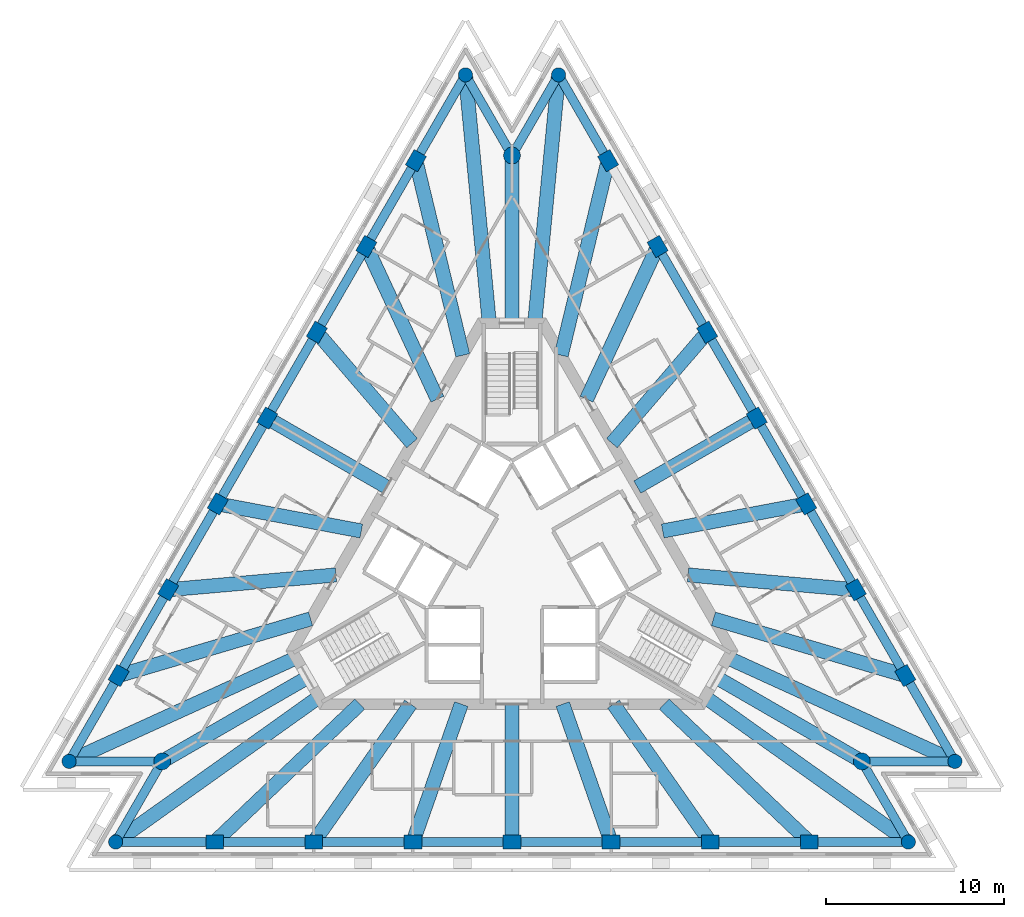
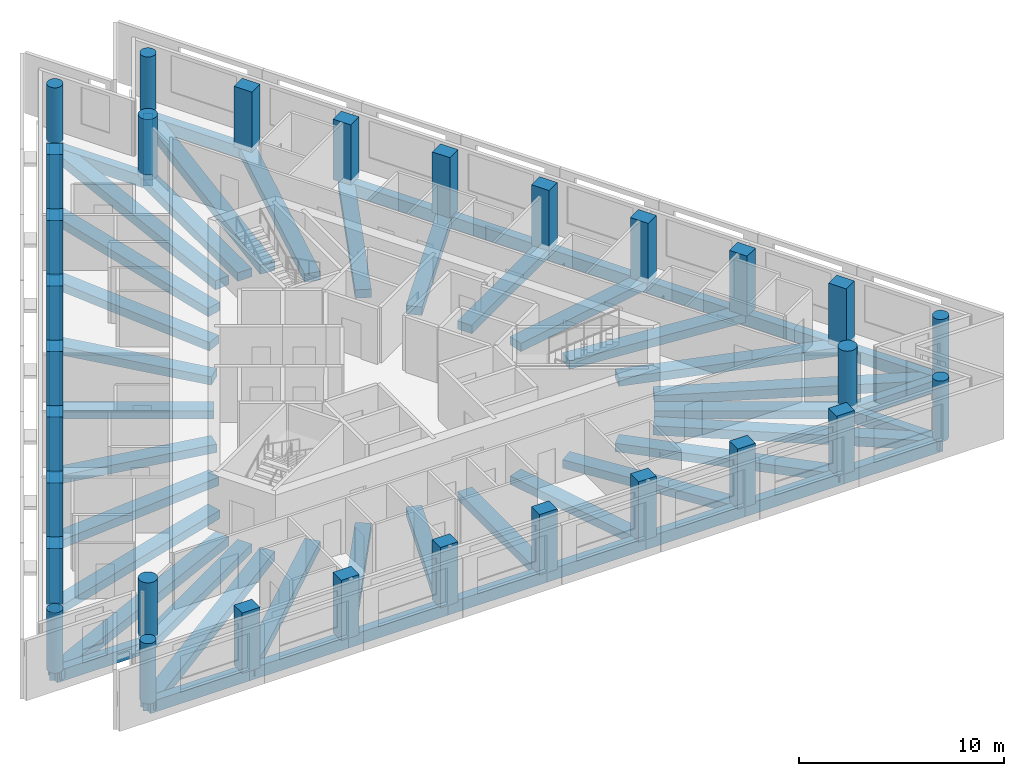
# One storey, part 1 of 10: 59 beams, 30 columns.
"""IFC4 building model written with IfcOpenShell, lengths in metres."""

from ifc_helpers import new_model, si_unit, direction, frame, origin, origin_2d, place, context, subcontext, project, spatial, rectangle, circle, extrude, material, material_profile, profile_set, type_object, element, save


model = new_model("IFC4")

# Units and contexts
model_context = context("Model", 3, precision=1e-05, world=origin(), true_north=direction((0.0, 1.0)))
body_context = subcontext(model_context, "Body", "Model", "MODEL_VIEW")
ifc_project = project(units=[si_unit("LENGTHUNIT", "METRE"), si_unit("AREAUNIT", "SQUARE_METRE"), si_unit("VOLUMEUNIT", "CUBIC_METRE"), si_unit("PLANEANGLEUNIT", "RADIAN"), si_unit("MASSUNIT", "GRAM", prefix="KILO")], contexts=[model_context])

# Site, building, storey
site_placement = place(None, origin())
site = spatial("IfcSite", under=ifc_project, at=site_placement, CompositionType="ELEMENT")
building_placement = place(site_placement, origin())
building = spatial("IfcBuilding", under=site, at=building_placement, Name="Triada Interchange Tower", CompositionType="ELEMENT")
storey_placement = place(building_placement, frame((0.0, 0.0, 275.5)))
storey = spatial("IfcBuildingStorey", under=building, at=storey_placement, Name="L64", CompositionType="ELEMENT", Elevation=275.5)

# Columns
ifc_material_1 = material(Name="Concrete C40/50", Category="concrete")
ifc_material_profile_1 = material_profile(ifc_material_1, rectangle(XDim=1.0, YDim=0.800048828125, at=origin_2d()), Name="RC 1000x800")
ifc_profile_set_1 = profile_set([ifc_material_profile_1], Name="Concrete C40/50")
column_type_1 = type_object("IfcColumnType", Name="Column D face RC 1000x800", PredefinedType="COLUMN", material=ifc_profile_set_1)
for number, where, z_axis, x_axis, name in (
    (1, (-5.4130859375, 22.458984375, -0.300048828125), (0.0, 0.0, 1.0), (0.5, 0.866025403784, 0.0), "Column CD02 L64"),
    (2, (-8.202880859375, 17.6259765625, -0.300048828125), (0.0, 0.0, 1.0), (0.5, 0.866025403784, 0.0), "Column CD03 L64"),
    (3, (-10.993896484375, 12.7919921875, -0.300048828125), (0.0, 0.0, 1.0), (0.5, 0.866025403784, 0.0), "Column CD04 L64"),
    (4, (-13.783935546875, 7.958984375, -0.300048828125), (0.0, 0.0, 1.0), (0.5, 0.866025403784, 0.0), "Column CD05 L64"),
    (5, (-16.574951171875, 3.125, -0.300048828125), (0.0, 0.0, 1.0), (0.5, 0.866025403784, 0.0), "Column CD06 L64"),
    (6, (-19.365966796875, -1.708984375, -0.300048828125), (0.0, 0.0, 1.0), (0.5, 0.866025403784, 0.0), "Column CD07 L64"),
    (7, (-22.156005859375, -6.5419921875, -0.300048828125), (0.0, 0.0, 1.0), (0.5, 0.866025403784, 0.0), "Column CD08 L64"),
    (8, (-16.7451171875, -15.9169921875, -0.300048828125), (0.0, 0.0, 1.0), (1.0, 0.0, 0.0), "Column CD11 L64"),
    (9, (-11.1630859375, -15.9169921875, -0.300048828125), (0.0, 0.0, 1.0), (1.0, 0.0, 0.0), "Column CD12 L64"),
    (10, (-5.5810546875, -15.9169921875, -0.300048828125), (0.0, 0.0, 1.0), (1.0, 0.0, 0.0), "Column CD13 L64"),
    (11, (0.0, -15.9169921875, -0.300048828125), (0.0, 0.0, 1.0), (1.0, 0.0, 0.0), "Column CD14 L64"),
    (12, (5.5810546875, -15.9169921875, -0.300048828125), (0.0, 0.0, 1.0), (1.0, 0.0, 0.0), "Column CD15 L64"),
    (13, (11.1630859375, -15.9169921875, -0.300048828125), (0.0, 0.0, 1.0), (1.0, 0.0, 0.0), "Column CD16 L64"),
    (14, (16.7451171875, -15.9169921875, -0.300048828125), (0.0, 0.0, 1.0), (1.0, 0.0, 0.0), "Column CD17 L64"),
    (15, (22.156005859375, -6.5419921875, -0.300048828125), (0.0, 0.0, 1.0), (-0.5, 0.866025403784, 0.0), "Column CD20 L64"),
    (16, (19.365966796875, -1.708984375, -0.300048828125), (0.0, 0.0, 1.0), (-0.5, 0.866025403784, 0.0), "Column CD21 L64"),
    (17, (16.574951171875, 3.125, -0.300048828125), (0.0, 0.0, 1.0), (-0.5, 0.866025403784, 0.0), "Column CD22 L64"),
    (18, (13.783935546875, 7.9580078125, -0.300048828125), (0.0, 0.0, 1.0), (-0.5, 0.866025403784, 0.0), "Column CD23 L64"),
    (19, (10.993896484375, 12.7919921875, -0.300048828125), (0.0, 0.0, 1.0), (-0.5, 0.866025403784, 0.0), "Column CD24 L64"),
    (20, (8.202880859375, 17.6259765625, -0.300048828125), (0.0, 0.0, 1.0), (-0.5, 0.866025403784, 0.0), "Column CD25 L64"),
    (21, (5.4130859375, 22.458984375, -0.300048828125), (0.0, 0.0, 1.0), (-0.5, 0.866025403784, 0.0), "Column CD26 L64"),
):
    element("IfcColumn", number, at=place(storey_placement, frame(where, z_axis=z_axis, x_axis=x_axis)), inside=storey, type_object=column_type_1, Name=name, PredefinedType="COLUMN", context=body_context, shape_type="SweptSolid", body=[
        extrude(rectangle(XDim=1.0, YDim=0.800048828125, at=origin_2d()), origin(), (0.0, 0.0, 1.0), 3.60009765625),
    ])
ifc_material_profile_2 = material_profile(ifc_material_1, circle(Radius=0.39990234375, at=origin_2d()), Name="RC D800")
ifc_profile_set_2 = profile_set([ifc_material_profile_2], Name="Concrete C40/50")
column_type_2 = type_object("IfcColumnType", Name="End column D RC D800", PredefinedType="COLUMN", material=ifc_profile_set_2)
for number, where, z_axis, x_axis, name in (
    (22, (-2.6220703125, 27.29296875, -0.300048828125), (0.0, 0.0, 1.0), (0.5, 0.866025403784, 0.0), "Column CD01 L64"),
    (23, (-24.947021484375, -11.3759765625, -0.300048828125), (0.0, 0.0, 1.0), (0.5, 0.866025403784, 0.0), "Column CD09 L64"),
    (24, (-22.325927734375, -15.9169921875, -0.300048828125), (0.0, 0.0, 1.0), (1.0, 0.0, 0.0), "Column CD10 L64"),
    (25, (22.325927734375, -15.9169921875, -0.300048828125), (0.0, 0.0, 1.0), (1.0, 0.0, 0.0), "Column CD18 L64"),
    (26, (24.947021484375, -11.3759765625, -0.300048828125), (0.0, 0.0, 1.0), (-0.5, 0.866025403784, 0.0), "Column CD19 L64"),
    (27, (2.6220703125, 27.29296875, -0.300048828125), (0.0, 0.0, 1.0), (-0.5, 0.866025403784, 0.0), "Column CD27 L64"),
):
    element("IfcColumn", number, at=place(storey_placement, frame(where, z_axis=z_axis, x_axis=x_axis)), inside=storey, type_object=column_type_2, Name=name, PredefinedType="COLUMN", context=body_context, shape_type="SweptSolid", body=[
        extrude(circle(Radius=0.39990234375, at=origin_2d()), origin(), (0.0, 0.0, 1.0), 3.60009765625),
    ])
ifc_material_profile_3 = material_profile(ifc_material_1, circle(Radius=0.47509765625, at=origin_2d()), Name="RC D950")
ifc_profile_set_3 = profile_set([ifc_material_profile_3], Name="Concrete C40/50")
column_type_3 = type_object("IfcColumnType", Name="Mega column D RC D950", PredefinedType="COLUMN", material=ifc_profile_set_3)
for number, where, z_axis, x_axis, name in (
    (28, (0.0, 22.7529296875, -0.300048828125), (0.0, 0.0, 1.0), (1.0, 0.0, 0.0), "Column MD1 L64"),
    (29, (-19.7041015625, -11.3759765625, -0.300048828125), (0.0, 0.0, 1.0), (1.0, 0.0, 0.0), "Column MD2 L64"),
    (30, (19.7041015625, -11.3759765625, -0.300048828125), (0.0, 0.0, 1.0), (1.0, 0.0, 0.0), "Column MD3 L64"),
):
    element("IfcColumn", number, at=place(storey_placement, frame(where, z_axis=z_axis, x_axis=x_axis)), inside=storey, type_object=column_type_3, Name=name, PredefinedType="COLUMN", context=body_context, shape_type="SweptSolid", body=[
        extrude(circle(Radius=0.47509765625, at=origin_2d()), origin(), (0.0, 0.0, 1.0), 3.60009765625),
    ])

# Beams
ifc_material_2 = material(Name="Concrete C50/60", Category="concrete")
ifc_material_profile_4 = material_profile(ifc_material_2, rectangle(XDim=0.800048828125, YDim=0.5, at=origin_2d()), Name="RC 800x500")
ifc_profile_set_4 = profile_set([ifc_material_profile_4], Name="Concrete C50/60")
beam_type_1 = type_object("IfcBeamType", Name="Radial band beam D RC 800x500", PredefinedType="BEAM", material=ifc_profile_set_4)
beam_1_placement = place(storey_placement, frame((-5.4130859375, 22.458984375, -0.550048828125), z_axis=(0.234272173426, -0.972171049126, 0.0), x_axis=(0.972171049126, 0.234272173426, 0.0)))
element("IfcBeam", 31, at=beam_1_placement, inside=storey, type_object=beam_type_1, Name="Radial band beam BD02 L64", PredefinedType="BEAM", context=body_context, shape_type="SweptSolid", body=[
    extrude(rectangle(XDim=0.800048828125, YDim=0.5, at=origin_2d()), origin(), (0.0, 0.0, 1.0), 11.273681640625),
])
beam_2_placement = place(storey_placement, frame((-8.202880859375, 17.6259765625, -0.550048828125), z_axis=(0.421941327944, -0.906623138781, 0.0), x_axis=(0.906623138781, 0.421941327944, 0.0)))
element("IfcBeam", 32, at=beam_2_placement, inside=storey, type_object=beam_type_1, Name="Radial band beam BD03 L64", PredefinedType="BEAM", context=body_context, shape_type="SweptSolid", body=[
    extrude(rectangle(XDim=0.800048828125, YDim=0.5, at=origin_2d()), origin(), (0.0, 0.0, 1.0), 9.48681640625),
])
beam_3_placement = place(storey_placement, frame((-10.993896484375, 12.7919921875, -0.550048828125), z_axis=(0.651824057833, -0.758370224647, 0.0), x_axis=(0.758370224647, 0.651824057833, 0.0)))
element("IfcBeam", 33, at=beam_3_placement, inside=storey, type_object=beam_type_1, Name="Radial band beam BD04 L64", PredefinedType="BEAM", context=body_context, shape_type="SweptSolid", body=[
    extrude(rectangle(XDim=0.800048828125, YDim=0.5, at=origin_2d()), origin(), (0.0, 0.0, 1.0), 8.230712890625),
])
beam_4_placement = place(storey_placement, frame((-13.783935546875, 7.958984375, -0.550048828125), z_axis=(0.865976705992, -0.500084337567, 0.0), x_axis=(0.500084337567, 0.865976705992, 0.0)))
element("IfcBeam", 34, at=beam_4_placement, inside=storey, type_object=beam_type_1, Name="Radial band beam BD05 L64", PredefinedType="BEAM", context=body_context, shape_type="SweptSolid", body=[
    extrude(rectangle(XDim=0.800048828125, YDim=0.5, at=origin_2d()), origin(), (0.0, 0.0, 1.0), 7.766845703125),
])
beam_5_placement = place(storey_placement, frame((-16.574951171875, 3.125, -0.550048828125), z_axis=(0.982686321987, -0.185277069764, 0.0), x_axis=(0.185277069764, 0.982686321987, 0.0)))
element("IfcBeam", 35, at=beam_5_placement, inside=storey, type_object=beam_type_1, Name="Radial band beam BD06 L64", PredefinedType="BEAM", context=body_context, shape_type="SweptSolid", body=[
    extrude(rectangle(XDim=0.800048828125, YDim=0.5, at=origin_2d()), origin(), (0.0, 0.0, 1.0), 8.23046875),
])
beam_6_placement = place(storey_placement, frame((-19.365966796875, -1.708984375, -0.550048828125), z_axis=(0.996128325651, 0.087911084828, 0.0), x_axis=(-0.087911084828, 0.996128325651, 0.0)))
element("IfcBeam", 36, at=beam_6_placement, inside=storey, type_object=beam_type_1, Name="Radial band beam BD07 L64", PredefinedType="BEAM", context=body_context, shape_type="SweptSolid", body=[
    extrude(rectangle(XDim=0.800048828125, YDim=0.5, at=origin_2d()), origin(), (0.0, 0.0, 1.0), 9.486572265625),
])
beam_7_placement = place(storey_placement, frame((-22.156005859375, -6.5419921875, -0.550048828125), z_axis=(0.959072530335, 0.283160522596, 0.0), x_axis=(-0.283160522596, 0.959072530335, 0.0)))
element("IfcBeam", 37, at=beam_7_placement, inside=storey, type_object=beam_type_1, Name="Radial band beam BD08 L64", PredefinedType="BEAM", context=body_context, shape_type="SweptSolid", body=[
    extrude(rectangle(XDim=0.800048828125, YDim=0.5, at=origin_2d()), origin(), (0.0, 0.0, 1.0), 11.2724609375),
])
beam_8_placement = place(storey_placement, frame((-19.7041015625, -11.3759765625, -0.550048828125), z_axis=(0.866031605588, 0.499989258007, 0.0), x_axis=(-0.499989258007, 0.866031605588, 0.0)))
element("IfcBeam", 38, at=beam_8_placement, inside=storey, type_object=beam_type_1, Name="Radial band beam BD10 L64", PredefinedType="BEAM", context=body_context, shape_type="SweptSolid", body=[
    extrude(rectangle(XDim=0.800048828125, YDim=0.5, at=origin_2d()), origin(), (0.0, 0.0, 1.0), 9.452392578125),
])
beam_9_placement = place(storey_placement, frame((-16.7451171875, -15.9169921875, -0.550048828125), z_axis=(0.724799890409, 0.688959446457, 0.0), x_axis=(-0.688959446457, 0.724799890409, 0.0)))
element("IfcBeam", 39, at=beam_9_placement, inside=storey, type_object=beam_type_1, Name="Radial band beam BD12 L64", PredefinedType="BEAM", context=body_context, shape_type="SweptSolid", body=[
    extrude(rectangle(XDim=0.800048828125, YDim=0.5, at=origin_2d()), origin(), (0.0, 0.0, 1.0), 11.273681640625),
])
beam_10_placement = place(storey_placement, frame((-11.1630859375, -15.9169921875, -0.550048828125), z_axis=(0.574173726859, 0.818733492282, 0.0), x_axis=(-0.818733492282, 0.574173726859, 0.0)))
element("IfcBeam", 40, at=beam_10_placement, inside=storey, type_object=beam_type_1, Name="Radial band beam BD13 L64", PredefinedType="BEAM", context=body_context, shape_type="SweptSolid", body=[
    extrude(rectangle(XDim=0.800048828125, YDim=0.5, at=origin_2d()), origin(), (0.0, 0.0, 1.0), 9.48681640625),
])
beam_11_placement = place(storey_placement, frame((-5.5810546875, -15.9169921875, -0.550048828125), z_axis=(0.330855101794, 0.943681567912, 0.0), x_axis=(-0.943681567912, 0.330855101794, 0.0)))
element("IfcBeam", 41, at=beam_11_placement, inside=storey, type_object=beam_type_1, Name="Radial band beam BD14 L64", PredefinedType="BEAM", context=body_context, shape_type="SweptSolid", body=[
    extrude(rectangle(XDim=0.800048828125, YDim=0.5, at=origin_2d()), origin(), (0.0, 0.0, 1.0), 8.230712890625),
])
beam_12_placement = place(storey_placement, frame((0.0, -15.9169921875, -0.550048828125), z_axis=(0.0, 1.0, 0.0), x_axis=(-1.0, 0.0, 0.0)))
element("IfcBeam", 42, at=beam_12_placement, inside=storey, type_object=beam_type_1, Name="Radial band beam BD15 L64", PredefinedType="BEAM", context=body_context, shape_type="SweptSolid", body=[
    extrude(rectangle(XDim=0.800048828125, YDim=0.5, at=origin_2d()), origin(), (0.0, 0.0, 1.0), 7.76708984375),
])
beam_13_placement = place(storey_placement, frame((5.5810546875, -15.9169921875, -0.550048828125), z_axis=(-0.330855101794, 0.943681567912, 0.0), x_axis=(-0.943681567912, -0.330855101794, 0.0)))
element("IfcBeam", 43, at=beam_13_placement, inside=storey, type_object=beam_type_1, Name="Radial band beam BD16 L64", PredefinedType="BEAM", context=body_context, shape_type="SweptSolid", body=[
    extrude(rectangle(XDim=0.800048828125, YDim=0.5, at=origin_2d()), origin(), (0.0, 0.0, 1.0), 8.230712890625),
])
beam_14_placement = place(storey_placement, frame((11.1630859375, -15.9169921875, -0.550048828125), z_axis=(-0.574173726859, 0.818733492282, 0.0), x_axis=(-0.818733492282, -0.574173726859, 0.0)))
element("IfcBeam", 44, at=beam_14_placement, inside=storey, type_object=beam_type_1, Name="Radial band beam BD17 L64", PredefinedType="BEAM", context=body_context, shape_type="SweptSolid", body=[
    extrude(rectangle(XDim=0.800048828125, YDim=0.5, at=origin_2d()), origin(), (0.0, 0.0, 1.0), 9.48681640625),
])
beam_15_placement = place(storey_placement, frame((16.7451171875, -15.9169921875, -0.550048828125), z_axis=(-0.724799890409, 0.688959446457, 0.0), x_axis=(-0.688959446457, -0.724799890409, 0.0)))
element("IfcBeam", 45, at=beam_15_placement, inside=storey, type_object=beam_type_1, Name="Radial band beam BD18 L64", PredefinedType="BEAM", context=body_context, shape_type="SweptSolid", body=[
    extrude(rectangle(XDim=0.800048828125, YDim=0.5, at=origin_2d()), origin(), (0.0, 0.0, 1.0), 11.273681640625),
])
beam_16_placement = place(storey_placement, frame((19.7041015625, -11.3759765625, -0.550048828125), z_axis=(-0.866031605588, 0.499989258007, 0.0), x_axis=(-0.499989258007, -0.866031605588, 0.0)))
element("IfcBeam", 46, at=beam_16_placement, inside=storey, type_object=beam_type_1, Name="Radial band beam BD20 L64", PredefinedType="BEAM", context=body_context, shape_type="SweptSolid", body=[
    extrude(rectangle(XDim=0.800048828125, YDim=0.5, at=origin_2d()), origin(), (0.0, 0.0, 1.0), 9.452392578125),
])
beam_17_placement = place(storey_placement, frame((22.156005859375, -6.5419921875, -0.550048828125), z_axis=(-0.959072530335, 0.283160522596, 0.0), x_axis=(-0.283160522596, -0.959072530335, 0.0)))
element("IfcBeam", 47, at=beam_17_placement, inside=storey, type_object=beam_type_1, Name="Radial band beam BD22 L64", PredefinedType="BEAM", context=body_context, shape_type="SweptSolid", body=[
    extrude(rectangle(XDim=0.800048828125, YDim=0.5, at=origin_2d()), origin(), (0.0, 0.0, 1.0), 11.2724609375),
])
beam_18_placement = place(storey_placement, frame((19.365966796875, -1.708984375, -0.550048828125), z_axis=(-0.996128325651, 0.087911084828, 0.0), x_axis=(-0.087911084828, -0.996128325651, 0.0)))
element("IfcBeam", 48, at=beam_18_placement, inside=storey, type_object=beam_type_1, Name="Radial band beam BD23 L64", PredefinedType="BEAM", context=body_context, shape_type="SweptSolid", body=[
    extrude(rectangle(XDim=0.800048828125, YDim=0.5, at=origin_2d()), origin(), (0.0, 0.0, 1.0), 9.486572265625),
])
beam_19_placement = place(storey_placement, frame((16.574951171875, 3.125, -0.550048828125), z_axis=(-0.982686321987, -0.185277069764, 0.0), x_axis=(0.185277069764, -0.982686321987, 0.0)))
element("IfcBeam", 49, at=beam_19_placement, inside=storey, type_object=beam_type_1, Name="Radial band beam BD24 L64", PredefinedType="BEAM", context=body_context, shape_type="SweptSolid", body=[
    extrude(rectangle(XDim=0.800048828125, YDim=0.5, at=origin_2d()), origin(), (0.0, 0.0, 1.0), 8.23046875),
])
beam_20_placement = place(storey_placement, frame((13.783935546875, 7.9580078125, -0.550048828125), z_axis=(-0.866031155779, -0.499990037121, 0.0), x_axis=(0.499990037121, -0.866031155779, 0.0)))
element("IfcBeam", 50, at=beam_20_placement, inside=storey, type_object=beam_type_1, Name="Radial band beam BD25 L64", PredefinedType="BEAM", context=body_context, shape_type="SweptSolid", body=[
    extrude(rectangle(XDim=0.800048828125, YDim=0.5, at=origin_2d()), origin(), (0.0, 0.0, 1.0), 7.766357421875),
])
beam_21_placement = place(storey_placement, frame((10.993896484375, 12.7919921875, -0.550048828125), z_axis=(-0.651824057833, -0.758370224647, 0.0), x_axis=(0.758370224647, -0.651824057833, 0.0)))
element("IfcBeam", 51, at=beam_21_placement, inside=storey, type_object=beam_type_1, Name="Radial band beam BD26 L64", PredefinedType="BEAM", context=body_context, shape_type="SweptSolid", body=[
    extrude(rectangle(XDim=0.800048828125, YDim=0.5, at=origin_2d()), origin(), (0.0, 0.0, 1.0), 8.230712890625),
])
beam_22_placement = place(storey_placement, frame((8.202880859375, 17.6259765625, -0.550048828125), z_axis=(-0.421941327944, -0.906623138781, 0.0), x_axis=(0.906623138781, -0.421941327944, 0.0)))
element("IfcBeam", 52, at=beam_22_placement, inside=storey, type_object=beam_type_1, Name="Radial band beam BD27 L64", PredefinedType="BEAM", context=body_context, shape_type="SweptSolid", body=[
    extrude(rectangle(XDim=0.800048828125, YDim=0.5, at=origin_2d()), origin(), (0.0, 0.0, 1.0), 9.48681640625),
])
beam_23_placement = place(storey_placement, frame((5.4130859375, 22.458984375, -0.550048828125), z_axis=(-0.234272173426, -0.972171049126, 0.0), x_axis=(0.972171049126, -0.234272173426, 0.0)))
element("IfcBeam", 53, at=beam_23_placement, inside=storey, type_object=beam_type_1, Name="Radial band beam BD28 L64", PredefinedType="BEAM", context=body_context, shape_type="SweptSolid", body=[
    extrude(rectangle(XDim=0.800048828125, YDim=0.5, at=origin_2d()), origin(), (0.0, 0.0, 1.0), 11.273681640625),
])
beam_24_placement = place(storey_placement, frame((0.0, 22.7529296875, -0.550048828125), z_axis=(0.0, -1.0, 0.0), x_axis=(1.0, 0.0, 0.0)))
element("IfcBeam", 54, at=beam_24_placement, inside=storey, type_object=beam_type_1, Name="Radial band beam BD30 L64", PredefinedType="BEAM", context=body_context, shape_type="SweptSolid", body=[
    extrude(rectangle(XDim=0.800048828125, YDim=0.5, at=origin_2d()), origin(), (0.0, 0.0, 1.0), 9.452880859375),
])
ifc_material_profile_5 = material_profile(ifc_material_2, rectangle(XDim=0.800048828125, YDim=0.550048828125, at=origin_2d()), Name="RC 800x550")
ifc_profile_set_5 = profile_set([ifc_material_profile_5], Name="Concrete C50/60")
beam_type_2 = type_object("IfcBeamType", Name="Radial band beam D RC 800x550", PredefinedType="BEAM", material=ifc_profile_set_5)
beam_25_placement = place(storey_placement, frame((-2.6220703125, 27.29296875, -0.574951171875), z_axis=(0.095608162853, -0.995419047033, 0.0), x_axis=(0.995419047033, 0.095608162853, 0.0)))
element("IfcBeam", 55, at=beam_25_placement, inside=storey, type_object=beam_type_2, Name="Radial band beam BD01 L64", PredefinedType="BEAM", context=body_context, shape_type="SweptSolid", body=[
    extrude(rectangle(XDim=0.800048828125, YDim=0.550048828125, at=origin_2d()), origin(), (0.0, 0.0, 1.0), 14.057373046875),
])
beam_26_placement = place(storey_placement, frame((-24.947021484375, -11.3759765625, -0.574951171875), z_axis=(0.909873343628, 0.414886127216, 0.0), x_axis=(-0.414886127216, 0.909873343628, 0.0)))
element("IfcBeam", 56, at=beam_26_placement, inside=storey, type_object=beam_type_2, Name="Radial band beam BD09 L64", PredefinedType="BEAM", context=body_context, shape_type="SweptSolid", body=[
    extrude(rectangle(XDim=0.800048828125, YDim=0.550048828125, at=origin_2d()), origin(), (0.0, 0.0, 1.0), 14.056884765625),
])
for number, where, z_axis, x_axis, name in (
    (57, (-22.325927734375, -15.9169921875, -0.574951171875), (0.814256478941, 0.580505285507, 0.0), (-0.580505285507, 0.814256478941, 0.0), "Radial band beam BD11 L64"),
    (58, (22.325927734375, -15.9169921875, -0.574951171875), (-0.814256478941, 0.580505285507, 0.0), (-0.580505285507, -0.814256478941, 0.0), "Radial band beam BD19 L64"),
):
    element("IfcBeam", number, at=place(storey_placement, frame(where, z_axis=z_axis, x_axis=x_axis)), inside=storey, type_object=beam_type_2, Name=name, PredefinedType="BEAM", context=body_context, shape_type="SweptSolid", body=[
        extrude(rectangle(XDim=0.800048828125, YDim=0.550048828125, at=origin_2d()), origin(), (0.0, 0.0, 1.0), 14.058349609375),
    ])
beam_27_placement = place(storey_placement, frame((24.947021484375, -11.3759765625, -0.574951171875), z_axis=(-0.909873343628, 0.414886127216, 0.0), x_axis=(-0.414886127216, -0.909873343628, 0.0)))
element("IfcBeam", 59, at=beam_27_placement, inside=storey, type_object=beam_type_2, Name="Radial band beam BD21 L64", PredefinedType="BEAM", context=body_context, shape_type="SweptSolid", body=[
    extrude(rectangle(XDim=0.800048828125, YDim=0.550048828125, at=origin_2d()), origin(), (0.0, 0.0, 1.0), 14.056884765625),
])
beam_28_placement = place(storey_placement, frame((2.6220703125, 27.29296875, -0.574951171875), z_axis=(-0.095608162853, -0.995419047033, 0.0), x_axis=(0.995419047033, -0.095608162853, 0.0)))
element("IfcBeam", 60, at=beam_28_placement, inside=storey, type_object=beam_type_2, Name="Radial band beam BD29 L64", PredefinedType="BEAM", context=body_context, shape_type="SweptSolid", body=[
    extrude(rectangle(XDim=0.800048828125, YDim=0.550048828125, at=origin_2d()), origin(), (0.0, 0.0, 1.0), 14.057373046875),
])
ifc_material_profile_6 = material_profile(ifc_material_2, rectangle(XDim=0.5, YDim=0.699951171875, at=origin_2d()), Name="RC 500x700")
ifc_profile_set_6 = profile_set([ifc_material_profile_6], Name="Concrete C50/60")
beam_type_3 = type_object("IfcBeamType", Name="Spandrel beam D RC 500x700", PredefinedType="BEAM", material=ifc_profile_set_6)
beam_29_placement = place(storey_placement, frame((-2.6220703125, 27.29296875, -0.64990234375), z_axis=(-0.5000152428, -0.866016603171, 0.0), x_axis=(0.866016603171, -0.5000152428, 0.0)))
element("IfcBeam", 61, at=beam_29_placement, inside=storey, type_object=beam_type_3, Name="Spandrel beam ED01 L64", PredefinedType="BEAM", context=body_context, shape_type="SweptSolid", body=[
    extrude(rectangle(XDim=0.5, YDim=0.699951171875, at=origin_2d()), origin(), (0.0, 0.0, 1.0), 5.581787109375),
])
beam_30_placement = place(storey_placement, frame((-5.4130859375, 22.458984375, -0.64990234375), z_axis=(-0.499926960557, -0.86606756902, 0.0), x_axis=(0.86606756902, -0.499926960557, 0.0)))
element("IfcBeam", 62, at=beam_30_placement, inside=storey, type_object=beam_type_3, Name="Spandrel beam ED02 L64", PredefinedType="BEAM", context=body_context, shape_type="SweptSolid", body=[
    extrude(rectangle(XDim=0.5, YDim=0.699951171875, at=origin_2d()), origin(), (0.0, 0.0, 1.0), 5.580322265625),
])
beam_31_placement = place(storey_placement, frame((-8.202880859375, 17.6259765625, -0.64990234375), z_axis=(-0.5000152428, -0.866016603171, 0.0), x_axis=(0.866016603171, -0.5000152428, 0.0)))
element("IfcBeam", 63, at=beam_31_placement, inside=storey, type_object=beam_type_3, Name="Spandrel beam ED03 L64", PredefinedType="BEAM", context=body_context, shape_type="SweptSolid", body=[
    extrude(rectangle(XDim=0.5, YDim=0.699951171875, at=origin_2d()), origin(), (0.0, 0.0, 1.0), 5.581787109375),
])
beam_32_placement = place(storey_placement, frame((-10.993896484375, 12.7919921875, -0.64990234375), z_axis=(-0.499959774894, -0.866048626514, 0.0), x_axis=(0.866048626514, -0.499959774894, 0.0)))
element("IfcBeam", 64, at=beam_32_placement, inside=storey, type_object=beam_type_3, Name="Spandrel beam ED04 L64", PredefinedType="BEAM", context=body_context, shape_type="SweptSolid", body=[
    extrude(rectangle(XDim=0.5, YDim=0.699951171875, at=origin_2d()), origin(), (0.0, 0.0, 1.0), 5.58056640625),
])
for number, where, z_axis, x_axis, name in (
    (65, (-13.783935546875, 7.958984375, -0.64990234375), (-0.5000152428, -0.866016603171, 0.0), (0.866016603171, -0.5000152428, 0.0), "Spandrel beam ED05 L64"),
    (66, (-16.574951171875, 3.125, -0.64990234375), (-0.5000152428, -0.866016603171, 0.0), (0.866016603171, -0.5000152428, 0.0), "Spandrel beam ED06 L64"),
):
    element("IfcBeam", number, at=place(storey_placement, frame(where, z_axis=z_axis, x_axis=x_axis)), inside=storey, type_object=beam_type_3, Name=name, PredefinedType="BEAM", context=body_context, shape_type="SweptSolid", body=[
        extrude(rectangle(XDim=0.5, YDim=0.699951171875, at=origin_2d()), origin(), (0.0, 0.0, 1.0), 5.581787109375),
    ])
beam_33_placement = place(storey_placement, frame((-19.365966796875, -1.708984375, -0.64990234375), z_axis=(-0.499959774894, -0.866048626514, 0.0), x_axis=(0.866048626514, -0.499959774894, 0.0)))
element("IfcBeam", 67, at=beam_33_placement, inside=storey, type_object=beam_type_3, Name="Spandrel beam ED07 L64", PredefinedType="BEAM", context=body_context, shape_type="SweptSolid", body=[
    extrude(rectangle(XDim=0.5, YDim=0.699951171875, at=origin_2d()), origin(), (0.0, 0.0, 1.0), 5.58056640625),
])
beam_34_placement = place(storey_placement, frame((-22.156005859375, -6.5419921875, -0.64990234375), z_axis=(-0.5000152428, -0.866016603171, 0.0), x_axis=(0.866016603171, -0.5000152428, 0.0)))
element("IfcBeam", 68, at=beam_34_placement, inside=storey, type_object=beam_type_3, Name="Spandrel beam ED08 L64", PredefinedType="BEAM", context=body_context, shape_type="SweptSolid", body=[
    extrude(rectangle(XDim=0.5, YDim=0.699951171875, at=origin_2d()), origin(), (0.0, 0.0, 1.0), 5.581787109375),
])
beam_35_placement = place(storey_placement, frame((-24.947021484375, -11.3759765625, -0.64990234375), z_axis=(1.0, 0.0, 0.0), x_axis=(0.0, 1.0, 0.0)))
element("IfcBeam", 69, at=beam_35_placement, inside=storey, type_object=beam_type_3, Name="Spandrel beam ED09 L64", PredefinedType="BEAM", context=body_context, shape_type="SweptSolid", body=[
    extrude(rectangle(XDim=0.5, YDim=0.699951171875, at=origin_2d()), origin(), (0.0, 0.0, 1.0), 5.242919921875),
])
beam_36_placement = place(storey_placement, frame((-19.7041015625, -11.3759765625, -0.64990234375), z_axis=(-0.500009951967, -0.866019657937, 0.0), x_axis=(0.866019657937, -0.500009951967, 0.0)))
element("IfcBeam", 70, at=beam_36_placement, inside=storey, type_object=beam_type_3, Name="Spandrel beam ED10 L64", PredefinedType="BEAM", context=body_context, shape_type="SweptSolid", body=[
    extrude(rectangle(XDim=0.5, YDim=0.699951171875, at=origin_2d()), origin(), (0.0, 0.0, 1.0), 5.24365234375),
])
beam_37_placement = place(storey_placement, frame((-22.325927734375, -15.9169921875, -0.64990234375), z_axis=(1.0, 0.0, 0.0), x_axis=(0.0, 1.0, 0.0)))
element("IfcBeam", 71, at=beam_37_placement, inside=storey, type_object=beam_type_3, Name="Spandrel beam ED11 L64", PredefinedType="BEAM", context=body_context, shape_type="SweptSolid", body=[
    extrude(rectangle(XDim=0.5, YDim=0.699951171875, at=origin_2d()), origin(), (0.0, 0.0, 1.0), 5.580810546875),
])
for number, where, z_axis, x_axis, name in (
    (72, (-16.7451171875, -15.9169921875, -0.64990234375), (1.0, 0.0, 0.0), (0.0, 1.0, 0.0), "Spandrel beam ED12 L64"),
    (73, (-11.1630859375, -15.9169921875, -0.64990234375), (1.0, 0.0, 0.0), (0.0, 1.0, 0.0), "Spandrel beam ED13 L64"),
):
    element("IfcBeam", number, at=place(storey_placement, frame(where, z_axis=z_axis, x_axis=x_axis)), inside=storey, type_object=beam_type_3, Name=name, PredefinedType="BEAM", context=body_context, shape_type="SweptSolid", body=[
        extrude(rectangle(XDim=0.5, YDim=0.699951171875, at=origin_2d()), origin(), (0.0, 0.0, 1.0), 5.58203125),
    ])
for number, where, z_axis, x_axis, name in (
    (74, (-5.5810546875, -15.9169921875, -0.64990234375), (1.0, 0.0, 0.0), (0.0, 1.0, 0.0), "Spandrel beam ED14 L64"),
    (75, (0.0, -15.9169921875, -0.64990234375), (1.0, 0.0, 0.0), (0.0, 1.0, 0.0), "Spandrel beam ED15 L64"),
):
    element("IfcBeam", number, at=place(storey_placement, frame(where, z_axis=z_axis, x_axis=x_axis)), inside=storey, type_object=beam_type_3, Name=name, PredefinedType="BEAM", context=body_context, shape_type="SweptSolid", body=[
        extrude(rectangle(XDim=0.5, YDim=0.699951171875, at=origin_2d()), origin(), (0.0, 0.0, 1.0), 5.5810546875),
    ])
for number, where, z_axis, x_axis, name in (
    (76, (5.5810546875, -15.9169921875, -0.64990234375), (1.0, 0.0, 0.0), (0.0, 1.0, 0.0), "Spandrel beam ED16 L64"),
    (77, (11.1630859375, -15.9169921875, -0.64990234375), (1.0, 0.0, 0.0), (0.0, 1.0, 0.0), "Spandrel beam ED17 L64"),
):
    element("IfcBeam", number, at=place(storey_placement, frame(where, z_axis=z_axis, x_axis=x_axis)), inside=storey, type_object=beam_type_3, Name=name, PredefinedType="BEAM", context=body_context, shape_type="SweptSolid", body=[
        extrude(rectangle(XDim=0.5, YDim=0.699951171875, at=origin_2d()), origin(), (0.0, 0.0, 1.0), 5.58203125),
    ])
beam_38_placement = place(storey_placement, frame((16.7451171875, -15.9169921875, -0.64990234375), z_axis=(1.0, 0.0, 0.0), x_axis=(0.0, 1.0, 0.0)))
element("IfcBeam", 78, at=beam_38_placement, inside=storey, type_object=beam_type_3, Name="Spandrel beam ED18 L64", PredefinedType="BEAM", context=body_context, shape_type="SweptSolid", body=[
    extrude(rectangle(XDim=0.5, YDim=0.699951171875, at=origin_2d()), origin(), (0.0, 0.0, 1.0), 5.580810546875),
])
beam_39_placement = place(storey_placement, frame((22.325927734375, -15.9169921875, -0.64990234375), z_axis=(-0.500009951967, 0.866019657937, 0.0), x_axis=(-0.866019657937, -0.500009951967, 0.0)))
element("IfcBeam", 79, at=beam_39_placement, inside=storey, type_object=beam_type_3, Name="Spandrel beam ED19 L64", PredefinedType="BEAM", context=body_context, shape_type="SweptSolid", body=[
    extrude(rectangle(XDim=0.5, YDim=0.699951171875, at=origin_2d()), origin(), (0.0, 0.0, 1.0), 5.24365234375),
])
beam_40_placement = place(storey_placement, frame((19.7041015625, -11.3759765625, -0.64990234375), z_axis=(1.0, 0.0, 0.0), x_axis=(0.0, 1.0, 0.0)))
element("IfcBeam", 80, at=beam_40_placement, inside=storey, type_object=beam_type_3, Name="Spandrel beam ED20 L64", PredefinedType="BEAM", context=body_context, shape_type="SweptSolid", body=[
    extrude(rectangle(XDim=0.5, YDim=0.699951171875, at=origin_2d()), origin(), (0.0, 0.0, 1.0), 5.242919921875),
])
beam_41_placement = place(storey_placement, frame((24.947021484375, -11.3759765625, -0.64990234375), z_axis=(-0.5000152428, 0.866016603171, 0.0), x_axis=(-0.866016603171, -0.5000152428, 0.0)))
element("IfcBeam", 81, at=beam_41_placement, inside=storey, type_object=beam_type_3, Name="Spandrel beam ED21 L64", PredefinedType="BEAM", context=body_context, shape_type="SweptSolid", body=[
    extrude(rectangle(XDim=0.5, YDim=0.699951171875, at=origin_2d()), origin(), (0.0, 0.0, 1.0), 5.581787109375),
])
beam_42_placement = place(storey_placement, frame((22.156005859375, -6.5419921875, -0.64990234375), z_axis=(-0.499959774894, 0.866048626514, 0.0), x_axis=(-0.866048626514, -0.499959774894, 0.0)))
element("IfcBeam", 82, at=beam_42_placement, inside=storey, type_object=beam_type_3, Name="Spandrel beam ED22 L64", PredefinedType="BEAM", context=body_context, shape_type="SweptSolid", body=[
    extrude(rectangle(XDim=0.5, YDim=0.699951171875, at=origin_2d()), origin(), (0.0, 0.0, 1.0), 5.58056640625),
])
beam_43_placement = place(storey_placement, frame((19.365966796875, -1.708984375, -0.64990234375), z_axis=(-0.5000152428, 0.866016603171, 0.0), x_axis=(-0.866016603171, -0.5000152428, 0.0)))
element("IfcBeam", 83, at=beam_43_placement, inside=storey, type_object=beam_type_3, Name="Spandrel beam ED23 L64", PredefinedType="BEAM", context=body_context, shape_type="SweptSolid", body=[
    extrude(rectangle(XDim=0.5, YDim=0.699951171875, at=origin_2d()), origin(), (0.0, 0.0, 1.0), 5.581787109375),
])
beam_44_placement = place(storey_placement, frame((16.574951171875, 3.125, -0.64990234375), z_axis=(-0.500091010712, 0.865972852349, 0.0), x_axis=(-0.865972852349, -0.500091010712, 0.0)))
element("IfcBeam", 84, at=beam_44_placement, inside=storey, type_object=beam_type_3, Name="Spandrel beam ED24 L64", PredefinedType="BEAM", context=body_context, shape_type="SweptSolid", body=[
    extrude(rectangle(XDim=0.5, YDim=0.699951171875, at=origin_2d()), origin(), (0.0, 0.0, 1.0), 5.5810546875),
])
beam_45_placement = place(storey_placement, frame((13.783935546875, 7.9580078125, -0.64990234375), z_axis=(-0.499884013612, 0.866092358201, 0.0), x_axis=(-0.866092358201, -0.499884013612, 0.0)))
element("IfcBeam", 85, at=beam_45_placement, inside=storey, type_object=beam_type_3, Name="Spandrel beam ED25 L64", PredefinedType="BEAM", context=body_context, shape_type="SweptSolid", body=[
    extrude(rectangle(XDim=0.5, YDim=0.699951171875, at=origin_2d()), origin(), (0.0, 0.0, 1.0), 5.581298828125),
])
for number, where, z_axis, x_axis, name in (
    (86, (10.993896484375, 12.7919921875, -0.64990234375), (-0.5000152428, 0.866016603171, 0.0), (-0.866016603171, -0.5000152428, 0.0), "Spandrel beam ED26 L64"),
    (87, (5.4130859375, 22.458984375, -0.64990234375), (-0.5000152428, 0.866016603171, 0.0), (-0.866016603171, -0.5000152428, 0.0), "Spandrel beam ED28 L64"),
):
    element("IfcBeam", number, at=place(storey_placement, frame(where, z_axis=z_axis, x_axis=x_axis)), inside=storey, type_object=beam_type_3, Name=name, PredefinedType="BEAM", context=body_context, shape_type="SweptSolid", body=[
        extrude(rectangle(XDim=0.5, YDim=0.699951171875, at=origin_2d()), origin(), (0.0, 0.0, 1.0), 5.581787109375),
    ])
for number, where, z_axis, x_axis, name in (
    (88, (2.6220703125, 27.29296875, -0.64990234375), (-0.500125528844, -0.865952917541, 0.0), (0.865952917541, -0.500125528844, 0.0), "Spandrel beam ED29 L64"),
    (89, (0.0, 22.7529296875, -0.64990234375), (-0.500125528844, 0.865952917541, 0.0), (-0.865952917541, -0.500125528844, 0.0), "Spandrel beam ED30 L64"),
):
    element("IfcBeam", number, at=place(storey_placement, frame(where, z_axis=z_axis, x_axis=x_axis)), inside=storey, type_object=beam_type_3, Name=name, PredefinedType="BEAM", context=body_context, shape_type="SweptSolid", body=[
        extrude(rectangle(XDim=0.5, YDim=0.699951171875, at=origin_2d()), origin(), (0.0, 0.0, 1.0), 5.242919921875),
    ])

save(model, "model.ifc")
